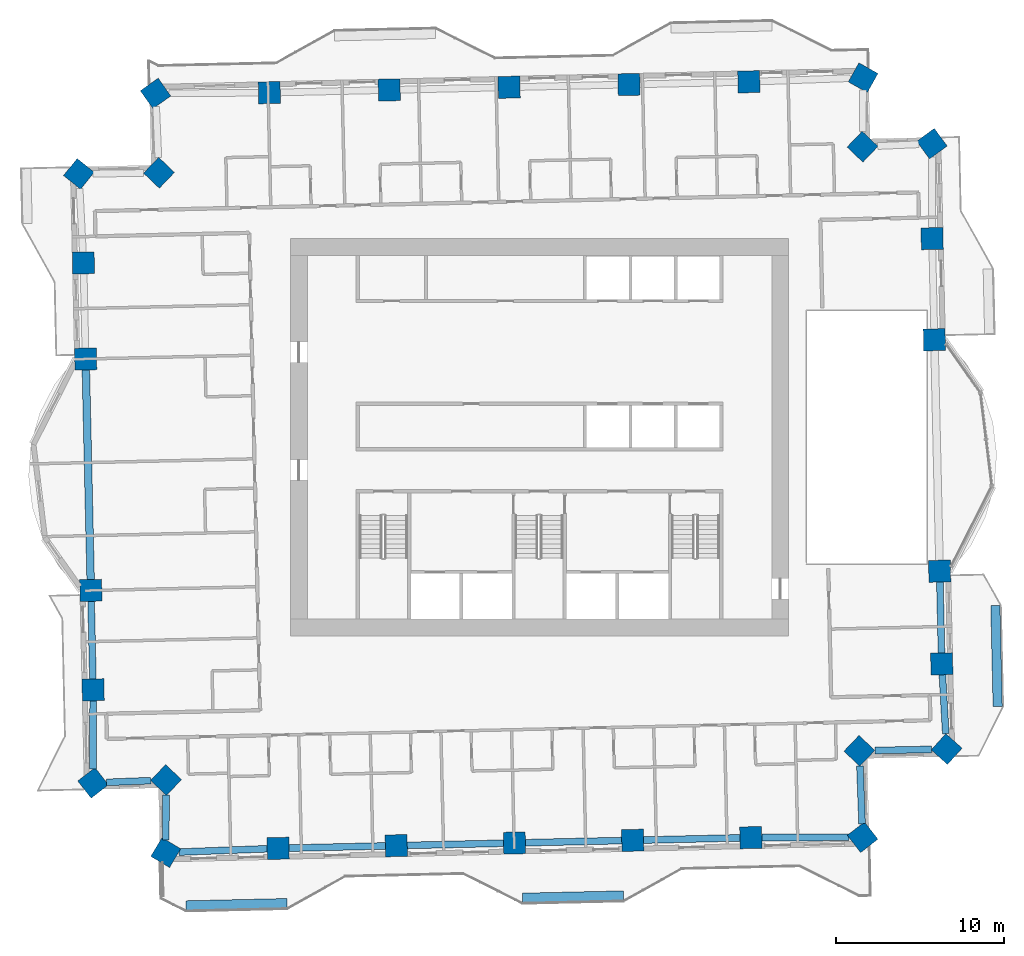
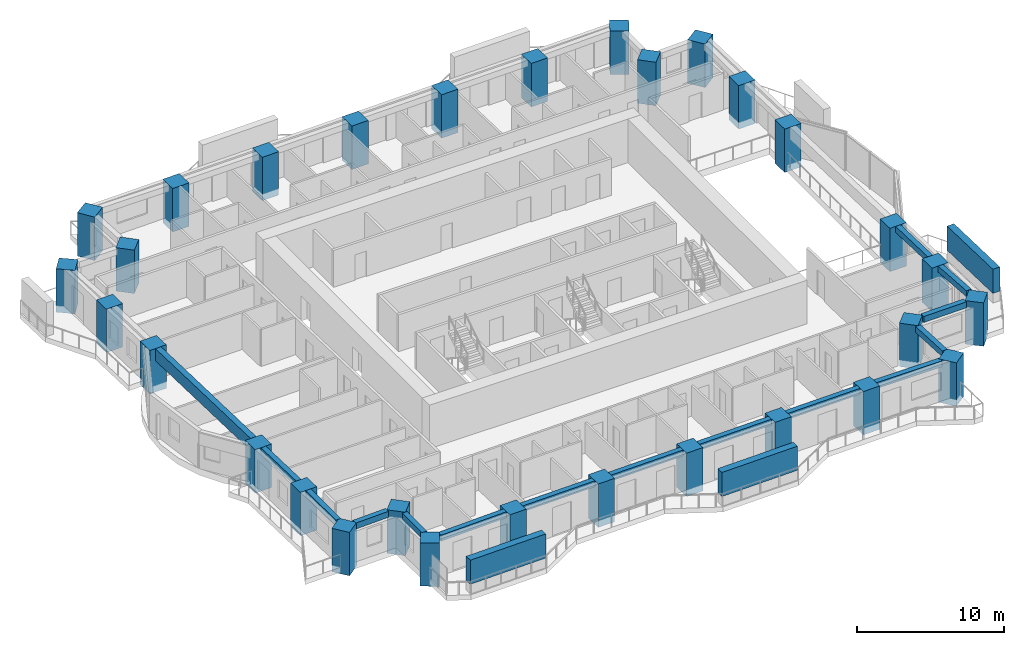
# One storey, part 1 of 16: 30 columns, 15 beams, 3 members.
"""IFC4 building model written with IfcOpenShell, lengths in metres."""

from ifc_helpers import new_model, si_unit, direction, frame, origin, origin_2d, place, context, subcontext, project, spatial, rectangle, extrude, material, material_profile, profile_set, type_object, element, save


model = new_model("IFC4")

# Units and contexts
model_context = context("Model", 3, precision=1e-05, world=origin(), true_north=direction((0.0, 1.0)))
body_context = subcontext(model_context, "Body", "Model", "MODEL_VIEW")
ifc_project = project(units=[si_unit("LENGTHUNIT", "METRE"), si_unit("AREAUNIT", "SQUARE_METRE"), si_unit("VOLUMEUNIT", "CUBIC_METRE"), si_unit("PLANEANGLEUNIT", "RADIAN"), si_unit("MASSUNIT", "GRAM", prefix="KILO")], contexts=[model_context])

# Site, building, storey
site_placement = place(None, origin())
site = spatial("IfcSite", under=ifc_project, at=site_placement, CompositionType="ELEMENT")
building_placement = place(site_placement, origin())
building = spatial("IfcBuilding", under=site, at=building_placement, Name="Mangrove Gate Tower", CompositionType="ELEMENT")
storey_placement = place(building_placement, frame((0.0, 0.0, 130.10009765625)))
storey = spatial("IfcBuildingStorey", under=building, at=storey_placement, Name="L32", CompositionType="ELEMENT", Elevation=130.10009765625)

# Columns
ifc_material_1 = material(Name="Concrete C70/85", Category="concrete")
ifc_material_profile_1 = material_profile(ifc_material_1, rectangle(XDim=1.300048828125, YDim=1.300048828125, at=origin_2d()))
ifc_profile_set_1 = profile_set([ifc_material_profile_1], Name="Concrete C70/85")
column_type = type_object("IfcColumnType", Name="Column RC 1300x1300 C70/85", PredefinedType="COLUMN", material=ifc_profile_set_1)
for number, where, z_axis, x_axis, name in (
    (1, (-26.6591796875, -9.09619140625, -0.550048828125), (0.0, 0.0, 1.0), (0.02268213383, -0.999742727308, 0.0), "Column L32 W05"),
    (2, (-26.525146484375, -15.00634765625, -0.550048828125), (0.0, 0.0, 1.0), (0.022665697055, -0.99974310009, 0.0), "Column L32 W06"),
    (3, (-26.528564453125, -20.5322265625, -0.550048828125), (0.0, 0.0, 1.0), (0.61506722308, -0.788474673717, 0.0), "Column L32 W07"),
    (4, (-22.19287109375, -20.362060546875, -0.550048828125), (0.0, 0.0, 1.0), (0.722994264183, -0.690854032309, 0.0), "Column L32 W08"),
    (5, (-22.20947265625, -24.67236328125, -0.550048828125), (0.0, 0.0, 1.0), (0.859255009234, -0.511547484704, 0.0), "Column L32 S01"),
    (6, (-15.53466796875, -24.422119140625, -0.550048828125), (0.0, 0.0, 1.0), (0.999742129581, 0.022708464065, 0.0), "Column L32 S02"),
    (7, (-8.5126953125, -24.26220703125, -0.550048828125), (0.0, 0.0, 1.0), (0.999742129581, 0.022708464065, 0.0), "Column L32 S03"),
    (8, (-1.49072265625, -24.103271484375, -0.550048828125), (0.0, 0.0, 1.0), (0.999743742918, 0.022637325283, 0.0), "Column L32 S04"),
    (9, (5.53125, -23.944091796875, -0.550048828125), (0.0, 0.0, 1.0), (0.999742166043, 0.022706858776, 0.0), "Column L32 S05"),
    (10, (12.55419921875, -23.7841796875, -0.550048828125), (0.0, 0.0, 1.0), (0.999742166043, 0.022706858776, 0.0), "Column L32 S06"),
    (11, (19.1923828125, -23.761474609375, -0.550048828125), (0.0, 0.0, 1.0), (0.790004884924, 0.613100547868, 0.0), "Column L32 S07"),
    (12, (19.0029296875, -18.626953125, -0.550048828125), (0.0, 0.0, 1.0), (0.690808805786, 0.723037477485, 0.0), "Column L32 E01"),
    (13, (24.188232421875, -18.522705078125, -0.550048828125), (0.0, 0.0, 1.0), (0.6695332885, 0.742782051204, 0.0), "Column L32 E02"),
    (14, (23.896240234375, -13.462646484375, -0.550048828125), (0.0, 0.0, 1.0), (-0.022678138054, 0.999742817956, 0.0), "Column L32 E03"),
    (15, (23.771240234375, -7.95166015625, -0.550048828125), (0.0, 0.0, 1.0), (-0.022684855843, 0.999742665547, 0.0), "Column L32 E04"),
    (16, (23.459228515625, 5.79638671875, -0.550048828125), (0.0, 0.0, 1.0), (-0.022668541211, 0.999743035604, 0.0), "Column L32 E05"),
    (17, (23.3232421875, 11.806396484375, -0.550048828125), (0.0, 0.0, 1.0), (-0.022621272366, 0.999744106277, 0.0), "Column L32 E06"),
    (18, (23.312744140625, 17.44775390625, -0.550048828125), (0.0, 0.0, 1.0), (-0.591062165958, 0.806626007498, 0.0), "Column L32 E07"),
    (19, (19.18896484375, 17.26708984375, -0.550048828125), (0.0, 0.0, 1.0), (-0.723000027728, 0.69084800058, 0.0), "Column L32 E08"),
    (20, (19.224609375, 21.36865234375, -0.550048828125), (0.0, 0.0, 1.0), (-0.872767754736, 0.488135684307, 0.0), "Column L32 N01"),
    (21, (12.434814453125, 21.124267578125, -0.550048828125), (0.0, 0.0, 1.0), (-0.999741400599, -0.022740534932, 0.0), "Column L32 N02"),
    (22, (5.312744140625, 20.962158203125, -0.550048828125), (0.0, 0.0, 1.0), (-0.999742993665, -0.022670390785, 0.0), "Column L32 N03"),
    (23, (-1.809326171875, 20.80126953125, -0.550048828125), (0.0, 0.0, 1.0), (-0.999742993665, -0.022670390785, 0.0), "Column L32 N04"),
    (24, (-8.93115234375, 20.63916015625, -0.550048828125), (0.0, 0.0, 1.0), (-0.999742993665, -0.022670390785, 0.0), "Column L32 N05"),
    (25, (-16.05322265625, 20.478271484375, -0.550048828125), (0.0, 0.0, 1.0), (-0.99974302967, -0.022668802943, 0.0), "Column L32 N06"),
    (26, (-22.815673828125, 20.435302734375, -0.550048828125), (0.0, 0.0, 1.0), (-0.816422336204, -0.577455252766, 0.0), "Column L32 N07"),
    (27, (-22.612060546875, 15.718017578125, -0.550048828125), (0.0, 0.0, 1.0), (-0.690868038859, -0.722980880026, 0.0), "Column L32 W01"),
    (28, (-27.3740234375, 15.6513671875, -0.550048828125), (0.0, 0.0, 1.0), (-0.625756852506, -0.780018180264, 0.0), "Column L32 W02"),
    (29, (-27.10107421875, 10.36181640625, -0.550048828125), (0.0, 0.0, 1.0), (0.022759187673, -0.999740976142, 0.0), "Column L32 W03"),
    (30, (-26.97119140625, 4.65185546875, -0.550048828125), (0.0, 0.0, 1.0), (0.022709737827, -0.999742100648, 0.0), "Column L32 W04"),
):
    element("IfcColumn", number, at=place(storey_placement, frame(where, z_axis=z_axis, x_axis=x_axis)), inside=storey, type_object=column_type, Name=name, PredefinedType="COLUMN", context=body_context, shape_type="SweptSolid", body=[
        extrude(rectangle(XDim=1.300048828125, YDim=1.300048828125, at=origin_2d()), origin(), (0.0, 0.0, 1.0), 3.599853515625),
    ])

# Members
ifc_material_2 = material(Name="Planting on aluminium trellis", Category="aluminium")
ifc_material_profile_2 = material_profile(ifc_material_2, rectangle(XDim=0.550048828125, YDim=2.0, at=origin_2d()))
ifc_profile_set_2 = profile_set([ifc_material_profile_2], Name="Planting on aluminium trellis")
member_type = type_object("IfcMemberType", Name="Balcony greenery screen 550x2000", PredefinedType="USERDEFINED", material=ifc_profile_set_2)
member_placement = place(storey_placement, frame((27.219970703125, -16.0, 1.7998046875), z_axis=(-0.022662255828, 0.999743178102, 0.0), x_axis=(-0.999743178102, -0.022662255828, 0.0)))
element("IfcMember", 31, at=member_placement, inside=storey, type_object=member_type, Name="GREEN SCREEN L32 E0.1", ObjectType="PLANTING", PredefinedType="USERDEFINED", context=body_context, shape_type="SweptSolid", body=[
    extrude(rectangle(XDim=0.550048828125, YDim=2.0, at=origin_2d()), origin(), (0.0, 0.0, 1.0), 6.00048828125),
])
for number, where, z_axis, x_axis, name in (
    (32, (-21.010986328125, -27.81201171875, 1.7998046875), (0.999743094499, 0.022665943652, 0.0), (-0.022665943652, 0.999743094499, 0.0), "GREEN SCREEN L32 S0.1"),
    (33, (-1.01611328125, -27.35791015625, 1.7998046875), (0.999743094499, 0.022665943652, 0.0), (-0.022665943652, 0.999743094499, 0.0), "GREEN SCREEN L32 S1.1"),
):
    element("IfcMember", number, at=place(storey_placement, frame(where, z_axis=z_axis, x_axis=x_axis)), inside=storey, type_object=member_type, Name=name, ObjectType="PLANTING", PredefinedType="USERDEFINED", context=body_context, shape_type="SweptSolid", body=[
        extrude(rectangle(XDim=0.550048828125, YDim=2.0, at=origin_2d()), origin(), (0.0, 0.0, 1.0), 5.99951171875),
    ])

# Beams
ifc_material_3 = material(Name="Concrete C50/60", Category="concrete")
ifc_material_profile_3 = material_profile(ifc_material_3, rectangle(XDim=0.39990234375, YDim=0.5, at=origin_2d()))
ifc_profile_set_3 = profile_set([ifc_material_profile_3], Name="Concrete C50/60")
beam_type_1 = type_object("IfcBeamType", Name="Edge beam RC 400x500 C50/60", PredefinedType="BEAM", material=ifc_profile_set_3)
beam_1_placement = place(storey_placement, frame((-26.64453125, -9.74609375, 2.7998046875), z_axis=(0.022711784645, -0.999742054151, 0.0), x_axis=(0.999742054151, 0.022711784645, 0.0)))
element("IfcBeam", 34, at=beam_1_placement, inside=storey, type_object=beam_type_1, Name="Edge beam L32 00", PredefinedType="BEAM", context=body_context, shape_type="SweptSolid", body=[
    extrude(rectangle(XDim=0.39990234375, YDim=0.5, at=origin_2d()), origin(), (0.0, 0.0, 1.0), 4.611572265625),
])
beam_2_placement = place(storey_placement, frame((-26.525634765625, -15.656494140625, 2.7998046875), z_axis=(-0.000602663664, -0.999999818398, 0.0), x_axis=(0.999999818398, -0.000602663664, 0.0)))
element("IfcBeam", 35, at=beam_2_placement, inside=storey, type_object=beam_type_1, Name="Edge beam L32 01", PredefinedType="BEAM", context=body_context, shape_type="SweptSolid", body=[
    extrude(rectangle(XDim=0.39990234375, YDim=0.5, at=origin_2d()), origin(), (0.0, 0.0, 1.0), 4.051025390625),
])
beam_3_placement = place(storey_placement, frame((-25.728515625, -20.500732421875, 2.7998046875), z_axis=(0.999231025302, 0.039209158043, 0.0), x_axis=(-0.039209158043, 0.999231025302, 0.0)))
element("IfcBeam", 36, at=beam_3_placement, inside=storey, type_object=beam_type_1, Name="Edge beam L32 02", PredefinedType="BEAM", context=body_context, shape_type="SweptSolid", body=[
    extrude(rectangle(XDim=0.39990234375, YDim=0.5, at=origin_2d()), origin(), (0.0, 0.0, 1.0), 2.6337890625),
])
beam_4_placement = place(storey_placement, frame((-22.1962890625, -21.2578125, 2.7998046875), z_axis=(-0.003854950704, -0.99999256965, 0.0), x_axis=(0.99999256965, -0.003854950704, 0.0)))
element("IfcBeam", 37, at=beam_4_placement, inside=storey, type_object=beam_type_1, Name="Edge beam L32 03", PredefinedType="BEAM", context=body_context, shape_type="SweptSolid", body=[
    extrude(rectangle(XDim=0.39990234375, YDim=0.5, at=origin_2d()), origin(), (0.0, 0.0, 1.0), 2.659912109375),
])
beam_5_placement = place(storey_placement, frame((-21.435791015625, -24.6435546875, 2.7998046875), z_axis=(0.999296963169, 0.037491057614, 0.0), x_axis=(-0.037491057614, 0.999296963169, 0.0)))
element("IfcBeam", 38, at=beam_5_placement, inside=storey, type_object=beam_type_1, Name="Edge beam L32 04", PredefinedType="BEAM", context=body_context, shape_type="SweptSolid", body=[
    extrude(rectangle(XDim=0.39990234375, YDim=0.5, at=origin_2d()), origin(), (0.0, 0.0, 1.0), 5.255126953125),
])
for number, where, z_axis, x_axis, name in (
    (39, (-14.885009765625, -24.407470703125, 2.7998046875), (0.999739606731, 0.022819262324, 0.0), (-0.022819262324, 0.999739606731, 0.0), "Edge beam L32 05"),
    (40, (-7.863037109375, -24.24755859375, 2.7998046875), (0.999743484414, 0.022648738864, 0.0), (-0.022648738864, 0.999743484414, 0.0), "Edge beam L32 06"),
):
    element("IfcBeam", number, at=place(storey_placement, frame(where, z_axis=z_axis, x_axis=x_axis)), inside=storey, type_object=beam_type_1, Name=name, PredefinedType="BEAM", context=body_context, shape_type="SweptSolid", body=[
        extrude(rectangle(XDim=0.39990234375, YDim=0.5, at=origin_2d()), origin(), (0.0, 0.0, 1.0), 5.723876953125),
    ])
beam_6_placement = place(storey_placement, frame((-0.8408203125, -24.08837890625, 2.7998046875), z_axis=(0.999744427496, 0.022607071703, 0.0), x_axis=(-0.022607071703, 0.999744427496, 0.0)))
element("IfcBeam", 41, at=beam_6_placement, inside=storey, type_object=beam_type_1, Name="Edge beam L32 07", PredefinedType="BEAM", context=body_context, shape_type="SweptSolid", body=[
    extrude(rectangle(XDim=0.39990234375, YDim=0.5, at=origin_2d()), origin(), (0.0, 0.0, 1.0), 5.7236328125),
])
beam_7_placement = place(storey_placement, frame((6.18115234375, -23.929443359375, 2.7998046875), z_axis=(0.999740645245, 0.022773718307, 0.0), x_axis=(-0.022773718307, 0.999740645245, 0.0)))
element("IfcBeam", 42, at=beam_7_placement, inside=storey, type_object=beam_type_1, Name="Edge beam L32 08", PredefinedType="BEAM", context=body_context, shape_type="SweptSolid", body=[
    extrude(rectangle(XDim=0.39990234375, YDim=0.5, at=origin_2d()), origin(), (0.0, 0.0, 1.0), 5.724609375),
])
beam_8_placement = place(storey_placement, frame((13.204345703125, -23.781982421875, 2.7998046875), z_axis=(0.99999421433, 0.003401662262, 0.0), x_axis=(-0.003401662262, 0.99999421433, 0.0)))
element("IfcBeam", 43, at=beam_8_placement, inside=storey, type_object=beam_type_1, Name="Edge beam L32 09", PredefinedType="BEAM", context=body_context, shape_type="SweptSolid", body=[
    extrude(rectangle(XDim=0.39990234375, YDim=0.5, at=origin_2d()), origin(), (0.0, 0.0, 1.0), 5.16748046875),
])
beam_9_placement = place(storey_placement, frame((19.1630859375, -22.961669921875, 2.7998046875), z_axis=(-0.036930074428, 0.999317852139, 0.0), x_axis=(-0.999317852139, -0.036930074428, 0.0)))
element("IfcBeam", 44, at=beam_9_placement, inside=storey, type_object=beam_type_1, Name="Edge beam L32 10", PredefinedType="BEAM", context=body_context, shape_type="SweptSolid", body=[
    extrude(rectangle(XDim=0.39990234375, YDim=0.5, at=origin_2d()), origin(), (0.0, 0.0, 1.0), 3.43115234375),
])
beam_10_placement = place(storey_placement, frame((19.919677734375, -18.608642578125, 2.7998046875), z_axis=(0.999798119062, 0.020092812629, 0.0), x_axis=(-0.020092812629, 0.999798119062, 0.0)))
element("IfcBeam", 45, at=beam_10_placement, inside=storey, type_object=beam_type_1, Name="Edge beam L32 11", PredefinedType="BEAM", context=body_context, shape_type="SweptSolid", body=[
    extrude(rectangle(XDim=0.39990234375, YDim=0.5, at=origin_2d()), origin(), (0.0, 0.0, 1.0), 3.3779296875),
])
beam_11_placement = place(storey_placement, frame((24.135498046875, -17.6103515625, 2.7998046875), z_axis=(-0.0576192371, 0.998338631686, 0.0), x_axis=(-0.998338631686, -0.0576192371, 0.0)))
element("IfcBeam", 46, at=beam_11_placement, inside=storey, type_object=beam_type_1, Name="Edge beam L32 12", PredefinedType="BEAM", context=body_context, shape_type="SweptSolid", body=[
    extrude(rectangle(XDim=0.39990234375, YDim=0.5, at=origin_2d()), origin(), (0.0, 0.0, 1.0), 3.504150390625),
])
beam_12_placement = place(storey_placement, frame((23.88134765625, -12.81298828125, 2.7998046875), z_axis=(-0.022660846095, 0.999743210057, 0.0), x_axis=(-0.999743210057, -0.022660846095, 0.0)))
element("IfcBeam", 47, at=beam_12_placement, inside=storey, type_object=beam_type_1, Name="Edge beam L32 13", PredefinedType="BEAM", context=body_context, shape_type="SweptSolid", body=[
    extrude(rectangle(XDim=0.39990234375, YDim=0.5, at=origin_2d()), origin(), (0.0, 0.0, 1.0), 4.21240234375),
])
ifc_material_4 = material(Name="Concrete C50/60", Category="concrete")
ifc_material_profile_4 = material_profile(ifc_material_4, rectangle(XDim=0.449951171875, YDim=1.0, at=origin_2d()))
ifc_profile_set_4 = profile_set([ifc_material_profile_4], Name="Concrete C50/60")
beam_type_2 = type_object("IfcBeamType", Name="Edge beam RC 450x1000 C50/60", PredefinedType="BEAM", material=ifc_profile_set_4)
beam_13_placement = place(storey_placement, frame((-26.95654296875, 4.001953125, 2.5498046875), z_axis=(0.022704926143, -0.999742209937, 0.0), x_axis=(0.999742209937, 0.022704926143, 0.0)))
element("IfcBeam", 48, at=beam_13_placement, inside=storey, type_object=beam_type_2, Name="Edge beam L32 29", PredefinedType="BEAM", context=body_context, shape_type="SweptSolid", body=[
    extrude(rectangle(XDim=0.449951171875, YDim=1.0, at=origin_2d()), origin(), (0.0, 0.0, 1.0), 12.45166015625),
])

save(model, "model.ifc")
